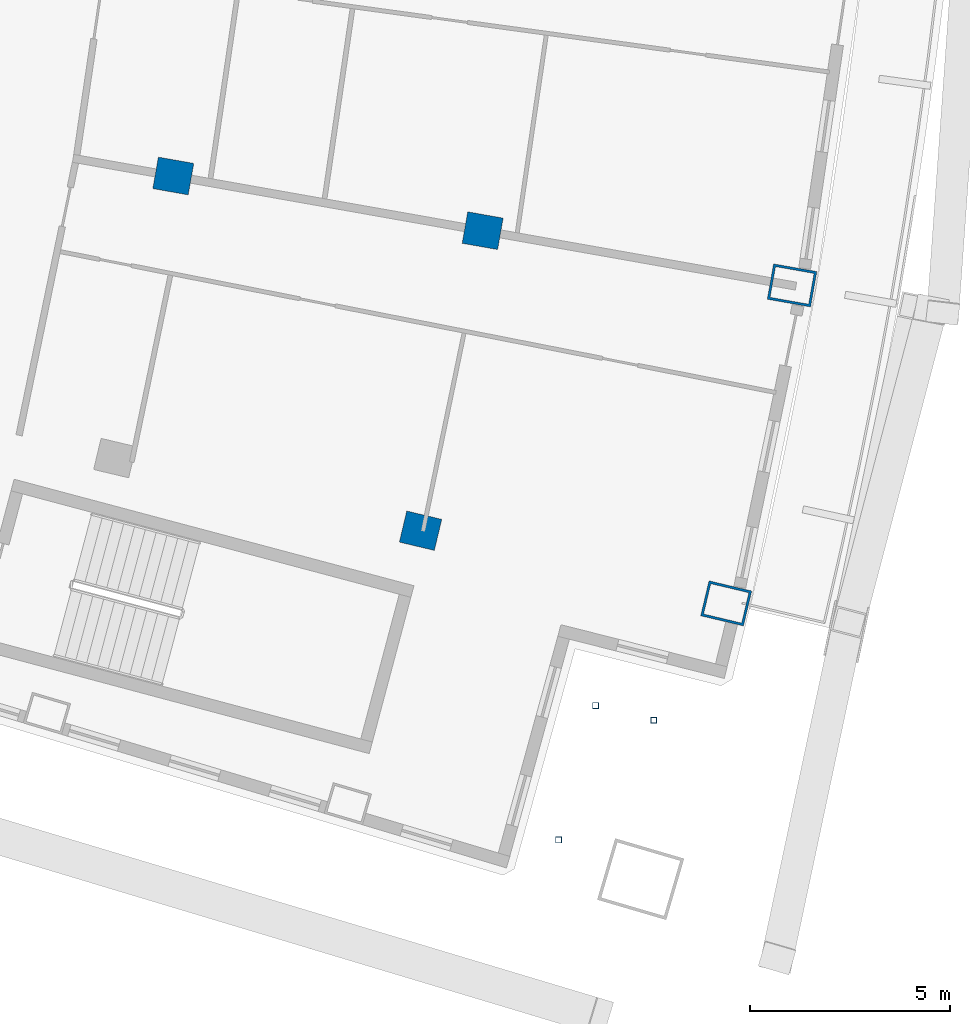
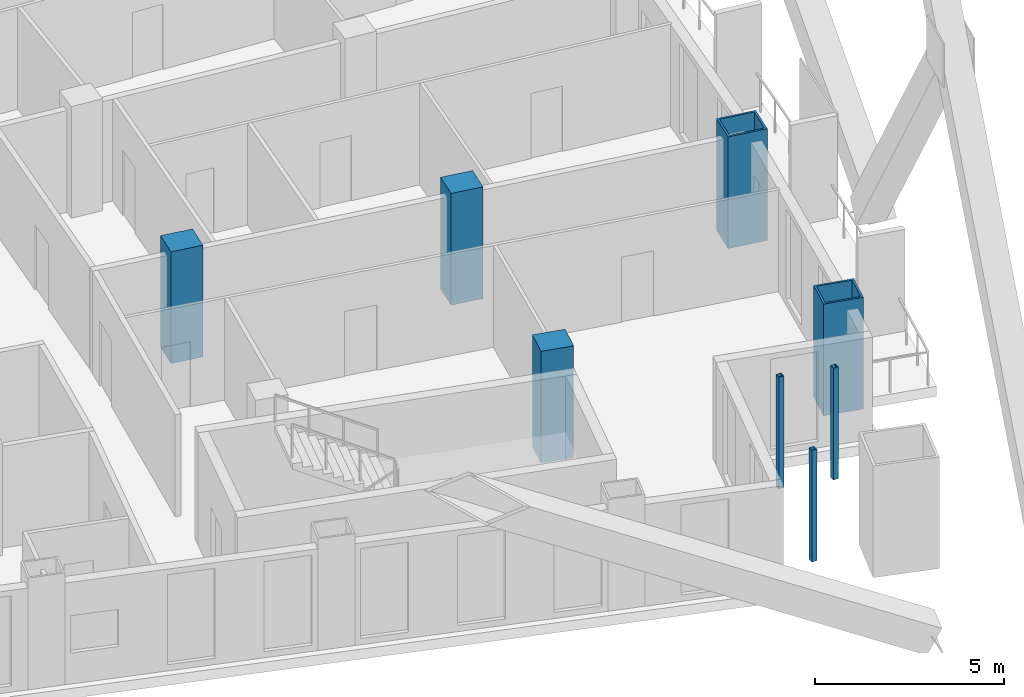
# One storey, part 5 of 22: 8 columns.
"""IFC4 building model written with IfcOpenShell, lengths in metres."""

from ifc_helpers import new_model, si_unit, direction, frame, origin, origin_2d, place, context, subcontext, project, spatial, rectangle, hollow_rectangle, extrude, material, material_profile, profile_set, type_object, element, save


model = new_model("IFC4")

# Units and contexts
model_context = context("Model", 3, precision=1e-05, world=origin(), true_north=direction((0.0, 1.0)))
body_context = subcontext(model_context, "Body", "Model", "MODEL_VIEW")
ifc_project = project(units=[si_unit("LENGTHUNIT", "METRE"), si_unit("AREAUNIT", "SQUARE_METRE"), si_unit("VOLUMEUNIT", "CUBIC_METRE"), si_unit("PLANEANGLEUNIT", "RADIAN"), si_unit("MASSUNIT", "GRAM", prefix="KILO")], contexts=[model_context])

# Site, building, storey
site_placement = place(None, origin())
site = spatial("IfcSite", under=ifc_project, at=site_placement, CompositionType="ELEMENT")
building_placement = place(site_placement, origin())
building = spatial("IfcBuilding", under=site, at=building_placement, Name="Alderwake Tower", CompositionType="ELEMENT")
storey_placement = place(building_placement, frame((0.0, 0.0, 160.39990234375)))
storey = spatial("IfcBuildingStorey", under=building, at=storey_placement, Name="L39", CompositionType="ELEMENT", Elevation=160.39990234375)

# Columns
ifc_material_1 = material(Name="Concrete C70/85", Category="concrete")
ifc_material_profile_1 = material_profile(ifc_material_1, rectangle(XDim=0.800048828125, YDim=0.89990234375, at=origin_2d()), Name="RC 900X800")
ifc_profile_set_1 = profile_set([ifc_material_profile_1], Name="Concrete C70/85")
column_type_1 = type_object("IfcColumnType", Name="Interior column Z3", PredefinedType="COLUMN", material=ifc_profile_set_1)
for number, where, z_axis, x_axis, name in (
    (1, (47.968994140625, 30.586669921875, 0.0), (0.0, 0.0, 1.0), (0.231221547198, 0.972901123502, 0.0), "Column R03-C4"),
    (2, (41.77783203125, 39.468505859375, 0.0), (0.0, 0.0, 1.0), (0.174108800747, 0.984726421654, 0.0), "Column R04-C3"),
    (3, (49.5244140625, 38.09912109375, 0.0), (0.0, 0.0, 1.0), (0.174108800747, 0.984726421654, 0.0), "Column R04-C4"),
):
    element("IfcColumn", number, at=place(storey_placement, frame(where, z_axis=z_axis, x_axis=x_axis)), inside=storey, type_object=column_type_1, Name=name, PredefinedType="COLUMN", context=body_context, shape_type="SweptSolid", body=[
        extrude(rectangle(XDim=0.800048828125, YDim=0.89990234375, at=origin_2d()), origin(), (0.0, 0.0, 1.0), 3.60009765625),
    ])
ifc_material_2 = material(Name="Steel ASTM A500 Grade C", Category="steel")
ifc_material_profile_2 = material_profile(ifc_material_2, hollow_rectangle(XDim=0.15234375, YDim=0.15234375, WallThickness=0.0087890625, at=origin_2d()), Name="HSS6X6X3/8")
ifc_profile_set_2 = profile_set([ifc_material_profile_2], Name="Steel ASTM A500 Grade C")
column_type_2 = type_object("IfcColumnType", Name="Light post HSS6X6X3/8", PredefinedType="COLUMN", material=ifc_profile_set_2)
for number, where, z_axis, x_axis, name in (
    (4, (53.807861328125, 25.840576171875, 0.0), (0.0, 0.0, 1.0), (1.0, 0.0, 0.0), "Terrace post FS1"),
    (5, (51.42431640625, 22.847900390625, 0.0), (0.0, 0.0, 1.0), (1.0, 0.0, 0.0), "Terrace post FS2"),
    (6, (52.353759765625, 26.208740234375, 0.0), (0.0, 0.0, 1.0), (1.0, 0.0, 0.0), "Terrace post FS3"),
):
    element("IfcColumn", number, at=place(storey_placement, frame(where, z_axis=z_axis, x_axis=x_axis)), inside=storey, type_object=column_type_2, Name=name, PredefinedType="COLUMN", context=body_context, shape_type="SweptSolid", body=[
        extrude(hollow_rectangle(XDim=0.15234375, YDim=0.15234375, WallThickness=0.0087890625, at=origin_2d()), origin(), (0.0, 0.0, 1.0), 3.60009765625),
    ])
ifc_material_3 = material(Name="Steel ASTM A572 Grade 50 concrete filled C70/85", Category="concrete")
ifc_material_profile_3 = material_profile(ifc_material_3, hollow_rectangle(XDim=0.89990234375, YDim=1.10009765625, WallThickness=0.06005859375, at=origin_2d()), Name="BOX 1100X900X60")
ifc_profile_set_3 = profile_set([ifc_material_profile_3], Name="Steel ASTM A572 Grade 50 concrete filled C70/85")
column_type_3 = type_object("IfcColumnType", Name="Perimeter column Z3", PredefinedType="COLUMN", material=ifc_profile_set_3)
for number, where, z_axis, x_axis, name in (
    (7, (55.622314453125, 28.767578125, 0.0), (0.0, 0.0, 1.0), (0.231221547198, 0.972901123502, 0.0), "Column R03-C5"),
    (8, (57.27099609375, 36.729248046875, 0.0), (0.0, 0.0, 1.0), (0.174108800747, 0.984726421654, 0.0), "Column R04-C5"),
):
    element("IfcColumn", number, at=place(storey_placement, frame(where, z_axis=z_axis, x_axis=x_axis)), inside=storey, type_object=column_type_3, Name=name, PredefinedType="COLUMN", context=body_context, shape_type="SweptSolid", body=[
        extrude(hollow_rectangle(XDim=0.89990234375, YDim=1.10009765625, WallThickness=0.06005859375, at=origin_2d()), origin(), (0.0, 0.0, 1.0), 3.60009765625),
    ])

save(model, "model.ifc")
